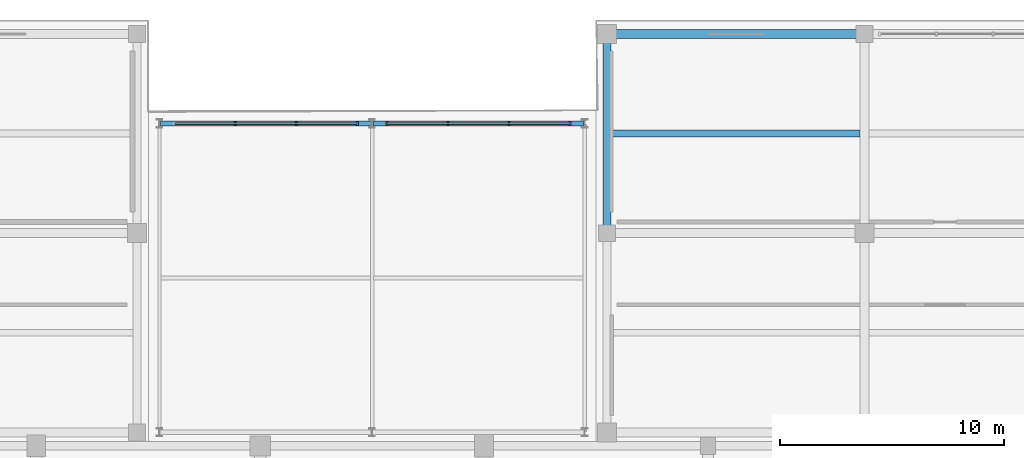
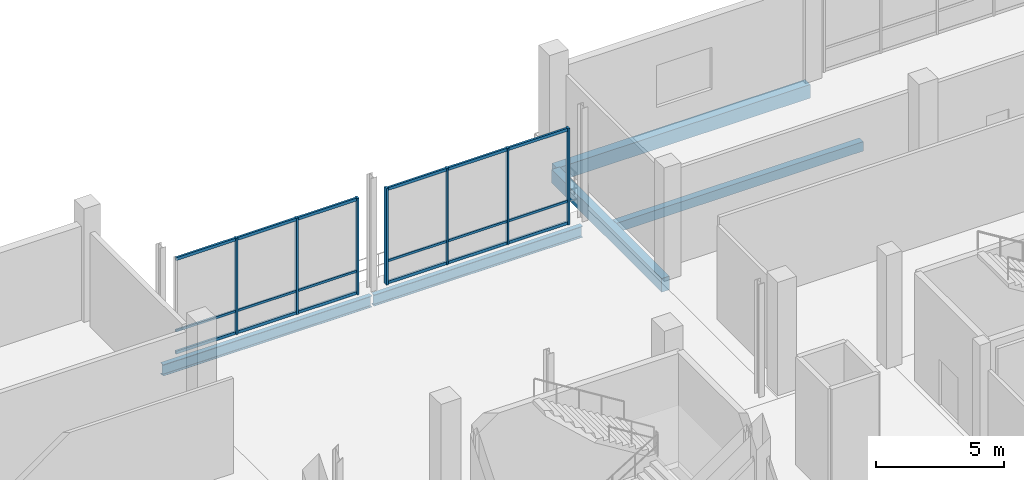
# One storey, part 54 of 114: 13 members, 5 beams, 2 elements without a shape of their own.
"""IFC4 building model written with IfcOpenShell, lengths in metres."""

import ifcopenshell
import ifcopenshell.guid

model = None  # the IFC model being written
_history = None  # IfcOwnerHistory: only IFC2X3 demands one
_inside = {}  # id of a spatial element -> (the spatial element, [elements in it])
_under = {}  # id of a project, library or spatial element -> (it, [spatial elements below it])
_declared = {}  # id of a project -> (the project, [libraries it declares])
_typed = {}  # id of a type object -> (the type object, [elements of that type])
_made_of = {}  # id of a material, layer set ... -> (it, [elements and type objects made of it])


def new_model(schema):
    """Start an empty IFC model of exactly this schema.

    Asked for "IFC4X3", IfcOpenShell would pick the latest addendum, in which some entities
    have other attributes; the version numbers below select the first issue.
    IFC2X3 requires an IfcOwnerHistory on every rooted entity: one is made here for all.
    """
    global model, _history
    if schema == "IFC4X3":
        model = ifcopenshell.file(schema_version=(4, 3, 0, 0))
    else:
        model = ifcopenshell.file(schema=schema)
    _inside.clear()
    _under.clear()
    _declared.clear()
    _typed.clear()
    _made_of.clear()
    _history = None
    if model.schema == "IFC2X3":
        org = make("IfcOrganization", Name="unknown")
        user = make(
            "IfcPersonAndOrganization",
            ThePerson=make("IfcPerson", FamilyName="unknown"),
            TheOrganization=org,
        )
        app = make(
            "IfcApplication",
            ApplicationDeveloper=org,
            Version="unknown",
            ApplicationFullName="unknown",
            ApplicationIdentifier="unknown",
        )
        _history = make(
            "IfcOwnerHistory",
            OwningUser=user,
            OwningApplication=app,
            ChangeAction="ADDED",
            CreationDate=0,
        )
    return model


def make(cls, **values):
    """One entity of the class cls with the attributes given. An attribute that is None is left unset."""
    return model.create_entity(
        cls, **{name: value for name, value in values.items() if value is not None}
    )


def rooted(cls, **values):
    """An entity with a GlobalId (a new one), such as an element, a storey or a relation."""
    return make(cls, GlobalId=ifcopenshell.guid.new(), OwnerHistory=_history, **values)


def si_unit(unit_type, name, prefix=None):
    """IfcSIUnit, for example si_unit("LENGTHUNIT", "METRE", prefix="MILLI")."""
    return make("IfcSIUnit", UnitType=unit_type, Prefix=prefix, Name=name)


def assignment(units):
    """IfcUnitAssignment: the units of a project."""
    return None if units is None else make("IfcUnitAssignment", Units=units)


def point(xyz):
    """IfcCartesianPoint."""
    return None if xyz is None else make("IfcCartesianPoint", Coordinates=xyz)


def direction(xyz):
    """IfcDirection."""
    return None if xyz is None else make("IfcDirection", DirectionRatios=xyz)


def frame(location, z_axis=None, x_axis=None):
    """IfcAxis2Placement3D, a coordinate frame: its origin and axes. An axis left out is left unset."""
    return make(
        "IfcAxis2Placement3D",
        Location=point(location),
        Axis=direction(z_axis),
        RefDirection=direction(x_axis),
    )


def frame_2d(location, x_axis=None):
    """IfcAxis2Placement2D, a coordinate frame in the plane: its origin and x axis."""
    return make(
        "IfcAxis2Placement2D", Location=point(location), RefDirection=direction(x_axis)
    )


def origin():
    """The frame at (0, 0, 0) with its axes left unset."""
    return frame((0.0, 0.0, 0.0))


def origin_2d():
    """The frame at (0, 0) in the plane with its x axis left unset."""
    return frame_2d((0.0, 0.0))


def place(relative_to, where):
    """IfcLocalPlacement: puts the frame where relative to a parent placement (None: the world)."""
    return make(
        "IfcLocalPlacement", PlacementRelTo=relative_to, RelativePlacement=where
    )


def context(
    kind, dimensions, precision=None, world=None, true_north=None, identifier=None
):
    """IfcGeometricRepresentationContext, for example the 3D "Model" context."""
    return make(
        "IfcGeometricRepresentationContext",
        ContextIdentifier=identifier,
        ContextType=kind,
        CoordinateSpaceDimension=dimensions,
        Precision=precision,
        WorldCoordinateSystem=world,
        TrueNorth=true_north,
    )


def subcontext(parent, identifier, kind, view, scale=None):
    """IfcGeometricRepresentationSubContext, for example "Body" below "Model"."""
    return make(
        "IfcGeometricRepresentationSubContext",
        ContextIdentifier=identifier,
        ContextType=kind,
        ParentContext=parent,
        TargetScale=scale,
        TargetView=view,
    )


def project(units=None, contexts=None):
    """IfcProject with its units and contexts."""
    return rooted(
        "IfcProject",
        Name="project",
        RepresentationContexts=contexts,
        UnitsInContext=assignment(units),
    )


def spatial(cls, under=None, at=None, **own):
    """A site, building, storey or space (cls), placed at a placement, below another one or the project."""
    s = rooted(cls, ObjectPlacement=at, **own)
    if under is not None:
        _under.setdefault(under.id(), (under, []))[1].append(s)
    return s


def profile(cls, at=None, kind="AREA", **sizes):
    """A parametric profile (cls). Its sizes go by their IFC names, for example OverallWidth=200.0."""
    return make(cls, ProfileType=kind, Position=at, **sizes)


def rectangle(**sizes):
    """IfcRectangleProfileDef."""
    return profile("IfcRectangleProfileDef", **sizes)


def i_section(**sizes):
    """IfcIShapeProfileDef."""
    return profile("IfcIShapeProfileDef", **sizes)


def extrude(swept, where, along, depth):
    """IfcExtrudedAreaSolid: the profile swept, set in the frame where, extruded along a direction by depth."""
    return make(
        "IfcExtrudedAreaSolid",
        SweptArea=swept,
        Position=where,
        ExtrudedDirection=direction(along),
        Depth=depth,
    )


def shape(context_of_items, identifier, shape_type, items):
    """IfcShapeRepresentation: the items that make up one representation, for example the "Body"."""
    return make(
        "IfcShapeRepresentation",
        ContextOfItems=context_of_items,
        RepresentationIdentifier=identifier,
        RepresentationType=shape_type,
        Items=items,
    )


def material(Name=None, Category=None):
    """IfcMaterial."""
    return make("IfcMaterial", Name=Name, Category=Category)


def material_profile(
    of_material, cross_section, Name=None, Category=None, Priority=None
):
    """IfcMaterialProfile: a cross section and its material."""
    return make(
        "IfcMaterialProfile",
        Name=Name,
        Material=of_material,
        Profile=cross_section,
        Priority=Priority,
        Category=Category,
    )


def profile_set(profiles, Name=None, composite=None):
    """IfcMaterialProfileSet."""
    return make(
        "IfcMaterialProfileSet",
        Name=Name,
        MaterialProfiles=profiles,
        CompositeProfile=composite,
    )


def made_of(thing, what):
    """Note that an element or type object is made of a material, layer set ...; save() writes the relation."""
    if what is not None:
        _made_of.setdefault(what.id(), (what, []))[1].append(thing)
    return thing


def type_object(cls, material=None, **own):
    """A type object (cls), such as IfcWallType, which elements share."""
    return made_of(rooted(cls, **own), material)


def element(
    cls,
    number,
    at=None,
    inside=None,
    cuts=None,
    type_object=None,
    material=None,
    context=None,
    identifier="Body",
    shape_type=None,
    held_by="IfcProductDefinitionShape",
    body=None,
    shapes=None,
    **own,
):
    """One element of the class cls, such as IfcWall. Its Tag is "e" and its number.

    at: its placement. inside: the storey or other place that contains it. cuts: it is an
    opening in that element (IfcRelVoidsElement). A single representation is given by context,
    identifier, shape_type and body (its items); several are given by shapes. held_by: the class
    of the entity that holds the representations. save() writes the other relations.
    """
    e = rooted(cls, Tag="e%d" % number, ObjectPlacement=at, **own)
    if body is not None:
        shapes = [shape(context, identifier, shape_type, body)]
    if shapes is not None:
        e.Representation = make(held_by, Representations=shapes)
    if inside is not None:
        _inside.setdefault(inside.id(), (inside, []))[1].append(e)
    if cuts is not None:
        rooted(
            "IfcRelVoidsElement", RelatingBuildingElement=cuts, RelatedOpeningElement=e
        )
    if type_object is not None:
        _typed.setdefault(type_object.id(), (type_object, []))[1].append(e)
    return made_of(e, material)


def aggregate(whole, parts):
    """IfcRelAggregates: a whole, such as a stair, and the parts it consists of."""
    return rooted("IfcRelAggregates", RelatingObject=whole, RelatedObjects=parts)


def save(model, path):
    """Write the relations noted so far, then the file.

    IfcRelAggregates (storeys below a building ...), IfcRelContainedInSpatialStructure (elements
    in a storey), IfcRelDefinesByType, IfcRelAssociatesMaterial and IfcRelDeclares: one each for
    every whole, place, type object, material and project.
    """
    for whole, parts in _under.values():
        aggregate(whole, parts)
    for where, things in _inside.values():
        rooted(
            "IfcRelContainedInSpatialStructure",
            RelatedElements=things,
            RelatingStructure=where,
        )
    for kind, things in _typed.values():
        rooted("IfcRelDefinesByType", RelatedObjects=things, RelatingType=kind)
    for what, things in _made_of.values():
        rooted("IfcRelAssociatesMaterial", RelatedObjects=things, RelatingMaterial=what)
    for by, libraries in _declared.values():
        rooted("IfcRelDeclares", RelatingContext=by, RelatedDefinitions=libraries)
    model.write(path)


model = new_model("IFC4")

# Units and contexts
model_context = context("Model", 3, precision=1e-05, world=origin(), true_north=direction((0.0, 1.0)))
body_context = subcontext(model_context, "Body", "Model", "MODEL_VIEW")
ifc_project = project(units=[si_unit("LENGTHUNIT", "METRE"), si_unit("AREAUNIT", "SQUARE_METRE"), si_unit("VOLUMEUNIT", "CUBIC_METRE"), si_unit("PLANEANGLEUNIT", "RADIAN"), si_unit("MASSUNIT", "GRAM", prefix="KILO")], contexts=[model_context])

# Site, building, storey
site_placement = place(None, origin())
site = spatial("IfcSite", under=ifc_project, at=site_placement, CompositionType="ELEMENT")
building_placement = place(site_placement, origin())
building = spatial("IfcBuilding", under=site, at=building_placement, Name="Candeia Ridge Stadium", CompositionType="ELEMENT")
storey_placement = place(building_placement, frame((0.0, 0.0, 5.39990234375)))
storey = spatial("IfcBuildingStorey", under=building, at=storey_placement, Name="L01", CompositionType="ELEMENT", Elevation=5.39990234375)

# Curtain wall, member
ifc_material_1 = material(Name="Aluminium Anodized Warm Bronze", Category="aluminium")
curtain_wall_type = type_object("IfcCurtainWallType", Name="Cardinal Entrance Gate Tall Glazed Curtain Wall", PredefinedType="NOTDEFINED", material=ifc_material_1)
curtain_wall_1_placement = place(storey_placement, origin())
curtain_wall_1 = element("IfcCurtainWall", 1, at=curtain_wall_1_placement, inside=storey, type_object=curtain_wall_type, Name="Unitised curtain wall CW-WNG-L01-147", PredefinedType="NOTDEFINED")
ifc_material_profile_1 = material_profile(ifc_material_1, rectangle(XDim=0.090087890625, YDim=0.179931640625, at=origin_2d()), Name="CWM-90x180", Category="aluminium")
ifc_profile_set_1 = profile_set([ifc_material_profile_1], Name="Aluminium Anodized Warm Bronze")
member_type_1 = type_object("IfcMemberType", Name="Curtain Wall Primary Mullion 90x180", PredefinedType="MULLION", material=ifc_profile_set_1)
member_1_placement = place(storey_placement, frame((105.340087890625, 161.39990234375, 0.0), z_axis=(0.0, 0.0, 1.0), x_axis=(1.0, 0.0, 0.0)))
member_1 = element("IfcMember", 2, at=member_1_placement, type_object=member_type_1, Name="Curtain wall mullion CW-WNG-L01-147-M3", PredefinedType="MULLION", context=body_context, shape_type="SweptSolid", body=[
    extrude(rectangle(XDim=0.090087890625, YDim=0.179931640625, at=origin_2d()), origin(), (0.0, 0.0, 1.0), 4.592041015625),
])

# Curtain wall, members
curtain_wall_2_placement = place(storey_placement, origin())
curtain_wall_2 = element("IfcCurtainWall", 3, at=curtain_wall_2_placement, inside=storey, type_object=curtain_wall_type, Name="Unitised curtain wall CW-WNG-L01-148", PredefinedType="NOTDEFINED")
member_2_placement = place(storey_placement, frame((106.659912109375, 161.39990234375, 0.0), z_axis=(0.0, 0.0, 1.0), x_axis=(1.0, 0.0, 0.0)))
member_2 = element("IfcMember", 4, at=member_2_placement, type_object=member_type_1, Name="Curtain wall mullion CW-WNG-L01-148-M0", PredefinedType="MULLION", context=body_context, shape_type="SweptSolid", body=[
    extrude(rectangle(XDim=0.090087890625, YDim=0.179931640625, at=origin_2d()), origin(), (0.0, 0.0, 1.0), 4.592041015625),
])
member_3_placement = place(storey_placement, frame((114.840087890625, 161.39990234375, 0.0), z_axis=(0.0, 0.0, 1.0), x_axis=(1.0, 0.0, 0.0)))
member_3 = element("IfcMember", 5, at=member_3_placement, type_object=member_type_1, Name="Curtain wall mullion CW-WNG-L01-148-M3", PredefinedType="MULLION", context=body_context, shape_type="SweptSolid", body=[
    extrude(rectangle(XDim=0.090087890625, YDim=0.179931640625, at=origin_2d()), origin(), (0.0, 0.0, 1.0), 4.592041015625),
])

# Member
ifc_material_profile_2 = material_profile(ifc_material_1, rectangle(XDim=0.074951171875, YDim=0.14990234375, at=origin_2d()), Name="CWM-75x150", Category="aluminium")
ifc_profile_set_2 = profile_set([ifc_material_profile_2], Name="Aluminium Anodized Warm Bronze")
member_type_2 = type_object("IfcMemberType", Name="Curtain Wall Secondary Mullion 75x150", PredefinedType="MULLION", material=ifc_profile_set_2)
member_4_placement = place(storey_placement, frame((99.88671875, 161.39990234375, 0.0), z_axis=(0.0, 0.0, 1.0), x_axis=(1.0, 0.0, 0.0)))
member_4 = element("IfcMember", 6, at=member_4_placement, type_object=member_type_2, Name="Curtain wall mullion CW-WNG-L01-147-M1", PredefinedType="MULLION", context=body_context, shape_type="SweptSolid", body=[
    extrude(rectangle(XDim=0.074951171875, YDim=0.14990234375, at=origin_2d()), origin(), (0.0, 0.0, 1.0), 4.592041015625),
])

member_5_placement = place(storey_placement, frame((102.61328125, 161.39990234375, 0.0), z_axis=(0.0, 0.0, 1.0), x_axis=(1.0, 0.0, 0.0)))
member_5 = element("IfcMember", 7, at=member_5_placement, type_object=member_type_2, Name="Curtain wall mullion CW-WNG-L01-147-M2", PredefinedType="MULLION", context=body_context, shape_type="SweptSolid", body=[
    extrude(rectangle(XDim=0.074951171875, YDim=0.14990234375, at=origin_2d()), origin(), (0.0, 0.0, 1.0), 4.592041015625),
])

member_6_placement = place(storey_placement, frame((109.38671875, 161.39990234375, 0.0), z_axis=(0.0, 0.0, 1.0), x_axis=(1.0, 0.0, 0.0)))
member_6 = element("IfcMember", 8, at=member_6_placement, type_object=member_type_2, Name="Curtain wall mullion CW-WNG-L01-148-M1", PredefinedType="MULLION", context=body_context, shape_type="SweptSolid", body=[
    extrude(rectangle(XDim=0.074951171875, YDim=0.14990234375, at=origin_2d()), origin(), (0.0, 0.0, 1.0), 4.592041015625),
])

member_7_placement = place(storey_placement, frame((112.11328125, 161.39990234375, 0.0), z_axis=(0.0, 0.0, 1.0), x_axis=(1.0, 0.0, 0.0)))
member_7 = element("IfcMember", 9, at=member_7_placement, type_object=member_type_2, Name="Curtain wall mullion CW-WNG-L01-148-M2", PredefinedType="MULLION", context=body_context, shape_type="SweptSolid", body=[
    extrude(rectangle(XDim=0.074951171875, YDim=0.14990234375, at=origin_2d()), origin(), (0.0, 0.0, 1.0), 4.592041015625),
])

ifc_material_profile_3 = material_profile(ifc_material_1, rectangle(XDim=0.074951171875, YDim=0.110107421875, at=origin_2d()), Name="CWT-75x110", Category="aluminium")
ifc_profile_set_3 = profile_set([ifc_material_profile_3], Name="Aluminium Anodized Warm Bronze")
member_type_3 = type_object("IfcMemberType", Name="Curtain Wall Secondary Transom 75x110", PredefinedType="USERDEFINED", material=ifc_profile_set_3)
member_8_placement = place(storey_placement, frame((97.159912109375, 161.39990234375, 1.10009765625), z_axis=(1.0, 0.0, 0.0), x_axis=(0.0, 1.0, 0.0)))
member_8 = element("IfcMember", 10, at=member_8_placement, type_object=member_type_3, Name="Curtain wall transom CW-WNG-L01-147-T1", ObjectType="TRANSOM", PredefinedType="USERDEFINED", context=body_context, shape_type="SweptSolid", body=[
    extrude(rectangle(XDim=0.074951171875, YDim=0.110107421875, at=origin_2d()), origin(), (0.0, 0.0, 1.0), 8.18017578125),
])

member_9_placement = place(storey_placement, frame((106.659912109375, 161.39990234375, 1.10009765625), z_axis=(1.0, 0.0, 0.0), x_axis=(0.0, 1.0, 0.0)))
member_9 = element("IfcMember", 11, at=member_9_placement, type_object=member_type_3, Name="Curtain wall transom CW-WNG-L01-148-T1", ObjectType="TRANSOM", PredefinedType="USERDEFINED", context=body_context, shape_type="SweptSolid", body=[
    extrude(rectangle(XDim=0.074951171875, YDim=0.110107421875, at=origin_2d()), origin(), (0.0, 0.0, 1.0), 8.18017578125),
])

ifc_material_profile_4 = material_profile(ifc_material_1, rectangle(XDim=0.090087890625, YDim=0.139892578125, at=origin_2d()), Name="CWT-90x140", Category="aluminium")
ifc_profile_set_4 = profile_set([ifc_material_profile_4], Name="Aluminium Anodized Warm Bronze")
member_type_4 = type_object("IfcMemberType", Name="Curtain Wall Transom 90x140", PredefinedType="USERDEFINED", material=ifc_profile_set_4)
member_10_placement = place(storey_placement, frame((97.159912109375, 161.39990234375, 0.070068359375), z_axis=(1.0, 0.0, 0.0), x_axis=(0.0, 1.0, 0.0)))
member_10 = element("IfcMember", 12, at=member_10_placement, type_object=member_type_4, Name="Curtain wall transom CW-WNG-L01-147-T0", ObjectType="TRANSOM", PredefinedType="USERDEFINED", context=body_context, shape_type="SweptSolid", body=[
    extrude(rectangle(XDim=0.090087890625, YDim=0.139892578125, at=origin_2d()), origin(), (0.0, 0.0, 1.0), 8.18017578125),
])

member_11_placement = place(storey_placement, frame((97.159912109375, 161.39990234375, 4.522216796875), z_axis=(1.0, 0.0, 0.0), x_axis=(0.0, 1.0, 0.0)))
member_11 = element("IfcMember", 13, at=member_11_placement, type_object=member_type_4, Name="Curtain wall transom CW-WNG-L01-147-T2", ObjectType="TRANSOM", PredefinedType="USERDEFINED", context=body_context, shape_type="SweptSolid", body=[
    extrude(rectangle(XDim=0.090087890625, YDim=0.139892578125, at=origin_2d()), origin(), (0.0, 0.0, 1.0), 8.18017578125),
])

aggregate(curtain_wall_1, [member_4, member_5, member_1, member_10, member_8, member_11])

member_12_placement = place(storey_placement, frame((106.659912109375, 161.39990234375, 0.070068359375), z_axis=(1.0, 0.0, 0.0), x_axis=(0.0, 1.0, 0.0)))
member_12 = element("IfcMember", 14, at=member_12_placement, type_object=member_type_4, Name="Curtain wall transom CW-WNG-L01-148-T0", ObjectType="TRANSOM", PredefinedType="USERDEFINED", context=body_context, shape_type="SweptSolid", body=[
    extrude(rectangle(XDim=0.090087890625, YDim=0.139892578125, at=origin_2d()), origin(), (0.0, 0.0, 1.0), 8.18017578125),
])

member_13_placement = place(storey_placement, frame((106.659912109375, 161.39990234375, 4.522216796875), z_axis=(1.0, 0.0, 0.0), x_axis=(0.0, 1.0, 0.0)))
member_13 = element("IfcMember", 15, at=member_13_placement, type_object=member_type_4, Name="Curtain wall transom CW-WNG-L01-148-T2", ObjectType="TRANSOM", PredefinedType="USERDEFINED", context=body_context, shape_type="SweptSolid", body=[
    extrude(rectangle(XDim=0.090087890625, YDim=0.139892578125, at=origin_2d()), origin(), (0.0, 0.0, 1.0), 8.18017578125),
])

aggregate(curtain_wall_2, [member_2, member_6, member_7, member_3, member_12, member_9, member_13])

# Beams
ifc_material_2 = material(Name="Concrete C40/50", Category="concrete")
ifc_material_profile_5 = material_profile(ifc_material_2, rectangle(XDim=0.300048828125, YDim=0.449951171875, at=origin_2d()), Name="RC300x450", Category="concrete")
ifc_profile_set_5 = profile_set([ifc_material_profile_5], Name="Concrete C40/50")
beam_type_1 = type_object("IfcBeamType", Name="Floor Joist RC300x450", PredefinedType="JOIST", material=ifc_profile_set_5)
beam_1_placement = place(storey_placement, frame((116.674560546875, 160.949951171875, -0.48486328125), z_axis=(1.0, 0.0, 0.0), x_axis=(0.0, 1.0, 0.0)))
element("IfcBeam", 16, at=beam_1_placement, inside=storey, type_object=beam_type_1, Name="Wing secondary joist BM-L01-1587", PredefinedType="JOIST", context=body_context, shape_type="SweptSolid", body=[
    extrude(rectangle(XDim=0.300048828125, YDim=0.449951171875, at=origin_2d()), origin(), (0.0, 0.0, 1.0), 11.1259765625),
])
ifc_material_3 = material(Name="Steel ASTM A572 Grade 50", Category="steel")
ifc_material_profile_6 = material_profile(ifc_material_3, i_section(OverallWidth=0.208984375, OverallDepth=0.532958984375, WebThickness=0.01025390625, FlangeThickness=0.015625, FilletRadius=0.013916015625, at=origin_2d()), Name="W530x92", Category="steel")
ifc_profile_set_6 = profile_set([ifc_material_profile_6], Name="Steel ASTM A572 Grade 50")
beam_type_2 = type_object("IfcBeamType", Name="Gate Portal Girder W530x92", PredefinedType="BEAM", material=ifc_profile_set_6)
for number, where, z_axis, x_axis, name in (
    (17, (96.550048828125, 161.39990234375, -0.5263671875), (1.0, 0.0, 0.0), (0.0, 1.0, 0.0), "Structural girder BM-L01-2040"),
    (18, (106.050048828125, 161.39990234375, -0.5263671875), (1.0, 0.0, 0.0), (0.0, 1.0, 0.0), "Structural girder BM-L01-2043"),
):
    element("IfcBeam", number, at=place(storey_placement, frame(where, z_axis=z_axis, x_axis=x_axis)), inside=storey, type_object=beam_type_2, Name=name, PredefinedType="BEAM", context=body_context, shape_type="SweptSolid", body=[
        extrude(i_section(OverallWidth=0.208984375, OverallDepth=0.532958984375, WebThickness=0.01025390625, FlangeThickness=0.015625, FilletRadius=0.013916015625, at=origin_2d()), origin(), (0.0, 0.0, 1.0), 9.39990234375),
    ])
ifc_material_profile_7 = material_profile(ifc_material_2, rectangle(XDim=0.35009765625, YDim=0.64990234375, at=origin_2d()), Name="RC350x650", Category="concrete")
ifc_profile_set_7 = profile_set([ifc_material_profile_7], Name="Concrete C40/50")
beam_type_3 = type_object("IfcBeamType", Name="Spandrel Beam RC350x650", PredefinedType="SPANDREL", material=ifc_profile_set_7)
beam_2_placement = place(storey_placement, frame((116.5, 156.659912109375, -0.5849609375), z_axis=(0.0, 1.0, 0.0), x_axis=(-1.0, 0.0, 0.0)))
element("IfcBeam", 19, at=beam_2_placement, inside=storey, type_object=beam_type_3, Name="Structural girder BM-L01-1571", PredefinedType="SPANDREL", context=body_context, shape_type="SweptSolid", body=[
    extrude(rectangle(XDim=0.35009765625, YDim=0.64990234375, at=origin_2d()), origin(), (0.0, 0.0, 1.0), 8.580078125),
])
ifc_material_profile_8 = material_profile(ifc_material_2, rectangle(XDim=0.39990234375, YDim=0.64990234375, at=origin_2d()), Name="RC400x650", Category="concrete")
ifc_profile_set_8 = profile_set([ifc_material_profile_8], Name="Concrete C40/50")
beam_type_4 = type_object("IfcBeamType", Name="Wing Primary Girder RC400x650", PredefinedType="BEAM", material=ifc_profile_set_8)
beam_3_placement = place(storey_placement, frame((116.550048828125, 165.39990234375, -0.5849609375), z_axis=(1.0, 0.0, 0.0), x_axis=(0.0, 1.0, 0.0)))
element("IfcBeam", 20, at=beam_3_placement, inside=storey, type_object=beam_type_4, Name="Structural girder BM-L01-1588", PredefinedType="BEAM", context=body_context, shape_type="SweptSolid", body=[
    extrude(rectangle(XDim=0.39990234375, YDim=0.64990234375, at=origin_2d()), origin(), (0.0, 0.0, 1.0), 11.39990234375),
])

save(model, "model.ifc")
